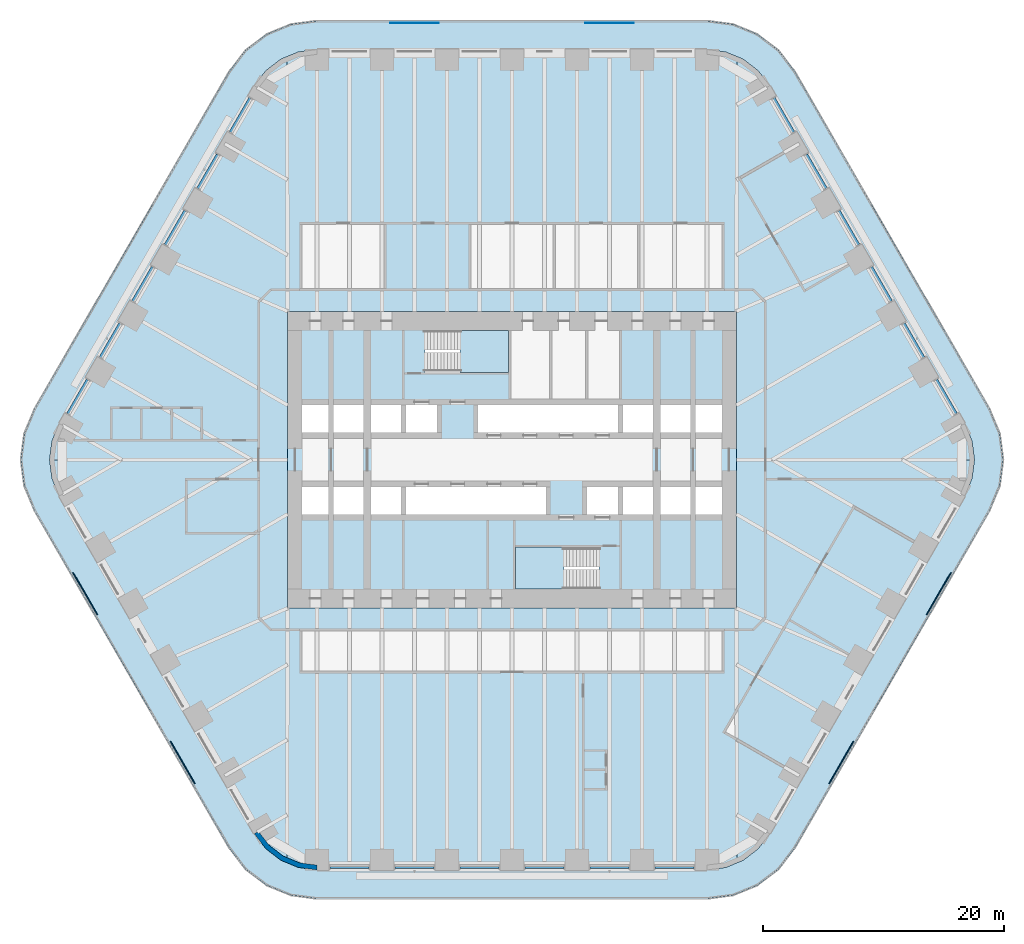
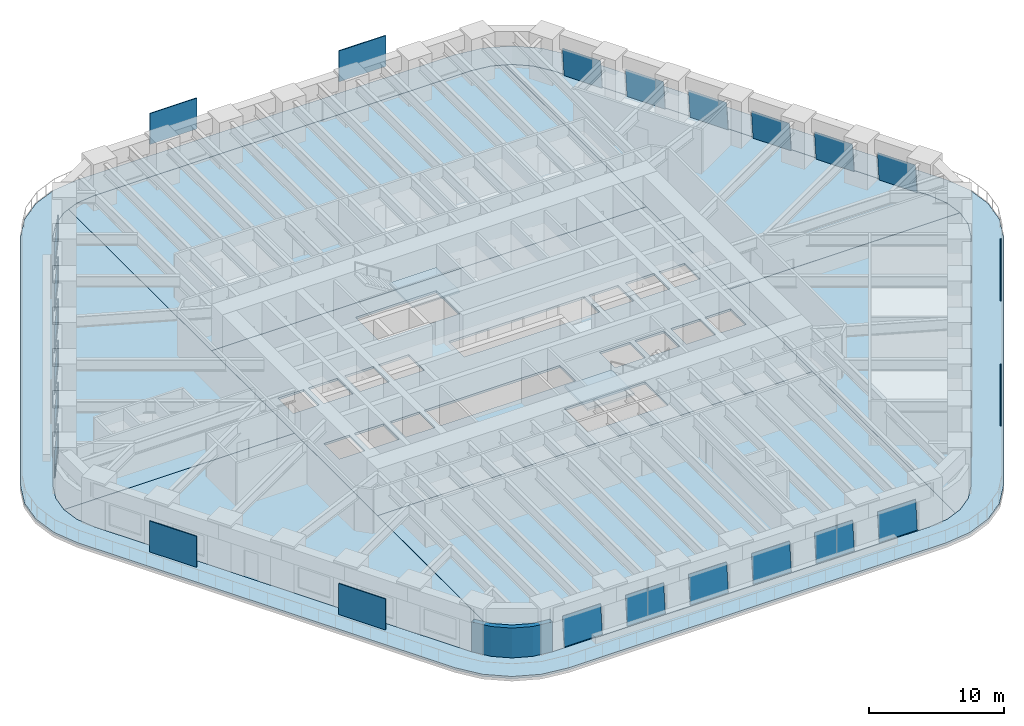
# One storey, part 15 of 23: 24 plates, 10 slabs, 1 wall, 20 elements without a shape of their own.
"""IFC4 building model written with IfcOpenShell, lengths in metres."""

import ifcopenshell
import ifcopenshell.guid

model = None  # the IFC model being written
_history = None  # IfcOwnerHistory: only IFC2X3 demands one
_inside = {}  # id of a spatial element -> (the spatial element, [elements in it])
_under = {}  # id of a project, library or spatial element -> (it, [spatial elements below it])
_declared = {}  # id of a project -> (the project, [libraries it declares])
_typed = {}  # id of a type object -> (the type object, [elements of that type])
_made_of = {}  # id of a material, layer set ... -> (it, [elements and type objects made of it])


def new_model(schema):
    """Start an empty IFC model of exactly this schema.

    Asked for "IFC4X3", IfcOpenShell would pick the latest addendum, in which some entities
    have other attributes; the version numbers below select the first issue.
    IFC2X3 requires an IfcOwnerHistory on every rooted entity: one is made here for all.
    """
    global model, _history
    if schema == "IFC4X3":
        model = ifcopenshell.file(schema_version=(4, 3, 0, 0))
    else:
        model = ifcopenshell.file(schema=schema)
    _inside.clear()
    _under.clear()
    _declared.clear()
    _typed.clear()
    _made_of.clear()
    _history = None
    if model.schema == "IFC2X3":
        org = make("IfcOrganization", Name="unknown")
        user = make(
            "IfcPersonAndOrganization",
            ThePerson=make("IfcPerson", FamilyName="unknown"),
            TheOrganization=org,
        )
        app = make(
            "IfcApplication",
            ApplicationDeveloper=org,
            Version="unknown",
            ApplicationFullName="unknown",
            ApplicationIdentifier="unknown",
        )
        _history = make(
            "IfcOwnerHistory",
            OwningUser=user,
            OwningApplication=app,
            ChangeAction="ADDED",
            CreationDate=0,
        )
    return model


def make(cls, **values):
    """One entity of the class cls with the attributes given. An attribute that is None is left unset."""
    return model.create_entity(
        cls, **{name: value for name, value in values.items() if value is not None}
    )


def rooted(cls, **values):
    """An entity with a GlobalId (a new one), such as an element, a storey or a relation."""
    return make(cls, GlobalId=ifcopenshell.guid.new(), OwnerHistory=_history, **values)


def si_unit(unit_type, name, prefix=None):
    """IfcSIUnit, for example si_unit("LENGTHUNIT", "METRE", prefix="MILLI")."""
    return make("IfcSIUnit", UnitType=unit_type, Prefix=prefix, Name=name)


def assignment(units):
    """IfcUnitAssignment: the units of a project."""
    return None if units is None else make("IfcUnitAssignment", Units=units)


def point(xyz):
    """IfcCartesianPoint."""
    return None if xyz is None else make("IfcCartesianPoint", Coordinates=xyz)


def direction(xyz):
    """IfcDirection."""
    return None if xyz is None else make("IfcDirection", DirectionRatios=xyz)


def frame(location, z_axis=None, x_axis=None):
    """IfcAxis2Placement3D, a coordinate frame: its origin and axes. An axis left out is left unset."""
    return make(
        "IfcAxis2Placement3D",
        Location=point(location),
        Axis=direction(z_axis),
        RefDirection=direction(x_axis),
    )


def frame_2d(location, x_axis=None):
    """IfcAxis2Placement2D, a coordinate frame in the plane: its origin and x axis."""
    return make(
        "IfcAxis2Placement2D", Location=point(location), RefDirection=direction(x_axis)
    )


def origin():
    """The frame at (0, 0, 0) with its axes left unset."""
    return frame((0.0, 0.0, 0.0))


def origin_2d():
    """The frame at (0, 0) in the plane with its x axis left unset."""
    return frame_2d((0.0, 0.0))


def place(relative_to, where):
    """IfcLocalPlacement: puts the frame where relative to a parent placement (None: the world)."""
    return make(
        "IfcLocalPlacement", PlacementRelTo=relative_to, RelativePlacement=where
    )


def context(
    kind, dimensions, precision=None, world=None, true_north=None, identifier=None
):
    """IfcGeometricRepresentationContext, for example the 3D "Model" context."""
    return make(
        "IfcGeometricRepresentationContext",
        ContextIdentifier=identifier,
        ContextType=kind,
        CoordinateSpaceDimension=dimensions,
        Precision=precision,
        WorldCoordinateSystem=world,
        TrueNorth=true_north,
    )


def subcontext(parent, identifier, kind, view, scale=None):
    """IfcGeometricRepresentationSubContext, for example "Body" below "Model"."""
    return make(
        "IfcGeometricRepresentationSubContext",
        ContextIdentifier=identifier,
        ContextType=kind,
        ParentContext=parent,
        TargetScale=scale,
        TargetView=view,
    )


def project(units=None, contexts=None):
    """IfcProject with its units and contexts."""
    return rooted(
        "IfcProject",
        Name="project",
        RepresentationContexts=contexts,
        UnitsInContext=assignment(units),
    )


def spatial(cls, under=None, at=None, **own):
    """A site, building, storey or space (cls), placed at a placement, below another one or the project."""
    s = rooted(cls, ObjectPlacement=at, **own)
    if under is not None:
        _under.setdefault(under.id(), (under, []))[1].append(s)
    return s


def polyline(points):
    """IfcPolyline through the points."""
    return make("IfcPolyline", Points=[point(p) for p in points])


def profile(cls, at=None, kind="AREA", **sizes):
    """A parametric profile (cls). Its sizes go by their IFC names, for example OverallWidth=200.0."""
    return make(cls, ProfileType=kind, Position=at, **sizes)


def rectangle(**sizes):
    """IfcRectangleProfileDef."""
    return profile("IfcRectangleProfileDef", **sizes)


def outline(outer, holes=None, kind="AREA"):
    """IfcArbitraryClosedProfileDef: a profile drawn as a closed curve; with holes, ...WithVoids."""
    if holes is None:
        return make("IfcArbitraryClosedProfileDef", ProfileType=kind, OuterCurve=outer)
    return make(
        "IfcArbitraryProfileDefWithVoids",
        ProfileType=kind,
        OuterCurve=outer,
        InnerCurves=holes,
    )


def extrude(swept, where, along, depth):
    """IfcExtrudedAreaSolid: the profile swept, set in the frame where, extruded along a direction by depth."""
    return make(
        "IfcExtrudedAreaSolid",
        SweptArea=swept,
        Position=where,
        ExtrudedDirection=direction(along),
        Depth=depth,
    )


def shape(context_of_items, identifier, shape_type, items):
    """IfcShapeRepresentation: the items that make up one representation, for example the "Body"."""
    return make(
        "IfcShapeRepresentation",
        ContextOfItems=context_of_items,
        RepresentationIdentifier=identifier,
        RepresentationType=shape_type,
        Items=items,
    )


def material(Name=None, Category=None):
    """IfcMaterial."""
    return make("IfcMaterial", Name=Name, Category=Category)


def layer(
    of_material, thickness, ventilated=None, Name=None, Category=None, Priority=None
):
    """IfcMaterialLayer: one layer of a wall or slab, of a material (None: an air gap)."""
    return make(
        "IfcMaterialLayer",
        Material=of_material,
        LayerThickness=thickness,
        IsVentilated=ventilated,
        Name=Name,
        Category=Category,
        Priority=Priority,
    )


def layer_set(layers, Name=None):
    """IfcMaterialLayerSet."""
    return make("IfcMaterialLayerSet", MaterialLayers=layers, LayerSetName=Name)


def made_of(thing, what):
    """Note that an element or type object is made of a material, layer set ...; save() writes the relation."""
    if what is not None:
        _made_of.setdefault(what.id(), (what, []))[1].append(thing)
    return thing


def type_object(cls, material=None, **own):
    """A type object (cls), such as IfcWallType, which elements share."""
    return made_of(rooted(cls, **own), material)


def element(
    cls,
    number,
    at=None,
    inside=None,
    cuts=None,
    type_object=None,
    material=None,
    context=None,
    identifier="Body",
    shape_type=None,
    held_by="IfcProductDefinitionShape",
    body=None,
    shapes=None,
    **own,
):
    """One element of the class cls, such as IfcWall. Its Tag is "e" and its number.

    at: its placement. inside: the storey or other place that contains it. cuts: it is an
    opening in that element (IfcRelVoidsElement). A single representation is given by context,
    identifier, shape_type and body (its items); several are given by shapes. held_by: the class
    of the entity that holds the representations. save() writes the other relations.
    """
    e = rooted(cls, Tag="e%d" % number, ObjectPlacement=at, **own)
    if body is not None:
        shapes = [shape(context, identifier, shape_type, body)]
    if shapes is not None:
        e.Representation = make(held_by, Representations=shapes)
    if inside is not None:
        _inside.setdefault(inside.id(), (inside, []))[1].append(e)
    if cuts is not None:
        rooted(
            "IfcRelVoidsElement", RelatingBuildingElement=cuts, RelatedOpeningElement=e
        )
    if type_object is not None:
        _typed.setdefault(type_object.id(), (type_object, []))[1].append(e)
    return made_of(e, material)


def aggregate(whole, parts):
    """IfcRelAggregates: a whole, such as a stair, and the parts it consists of."""
    return rooted("IfcRelAggregates", RelatingObject=whole, RelatedObjects=parts)


def save(model, path):
    """Write the relations noted so far, then the file.

    IfcRelAggregates (storeys below a building ...), IfcRelContainedInSpatialStructure (elements
    in a storey), IfcRelDefinesByType, IfcRelAssociatesMaterial and IfcRelDeclares: one each for
    every whole, place, type object, material and project.
    """
    for whole, parts in _under.values():
        aggregate(whole, parts)
    for where, things in _inside.values():
        rooted(
            "IfcRelContainedInSpatialStructure",
            RelatedElements=things,
            RelatingStructure=where,
        )
    for kind, things in _typed.values():
        rooted("IfcRelDefinesByType", RelatedObjects=things, RelatingType=kind)
    for what, things in _made_of.values():
        rooted("IfcRelAssociatesMaterial", RelatedObjects=things, RelatingMaterial=what)
    for by, libraries in _declared.values():
        rooted("IfcRelDeclares", RelatingContext=by, RelatedDefinitions=libraries)
    model.write(path)


model = new_model("IFC4")

# Units and contexts
model_context = context("Model", 3, precision=1e-05, world=origin(), true_north=direction((0.0, 1.0)))
body_context = subcontext(model_context, "Body", "Model", "MODEL_VIEW")
ifc_project = project(units=[si_unit("LENGTHUNIT", "METRE"), si_unit("AREAUNIT", "SQUARE_METRE"), si_unit("VOLUMEUNIT", "CUBIC_METRE"), si_unit("PLANEANGLEUNIT", "RADIAN"), si_unit("MASSUNIT", "GRAM", prefix="KILO")], contexts=[model_context])

# Site, building, storey
site_placement = place(None, origin())
site = spatial("IfcSite", under=ifc_project, at=site_placement, CompositionType="ELEMENT")
building_placement = place(site_placement, origin())
building = spatial("IfcBuilding", under=site, at=building_placement, Name="Tarfa Lantern Tower", CompositionType="ELEMENT")
storey_placement = place(building_placement, frame((0.0, 0.0, 61.300048828125)))
storey = spatial("IfcBuildingStorey", under=building, at=storey_placement, Name="L13", CompositionType="ELEMENT", Elevation=61.300048828125)

# Slab
ifc_material_1 = material(Name="Concrete C40/50", Category="concrete")
ifc_layer_1 = layer(ifc_material_1, 0.199951171875)
ifc_layer_set_1 = layer_set([ifc_layer_1], Name="BS2 BALCONY SLAB 200")
slab_type_1 = type_object("IfcSlabType", Name="BS2 BALCONY SLAB 200", PredefinedType="FLOOR", material=ifc_layer_set_1)
slab_1_placement = place(storey_placement, frame((0.0, 0.0, -0.199951171875)))
element("IfcSlab", 1, at=slab_1_placement, inside=storey, type_object=slab_type_1, Name="Balcony L13", PredefinedType="FLOOR", context=body_context, shape_type="SweptSolid", body=[
    extrude(outline(polyline([(39.606201171875, 4.199951171875), (23.4404296875, 32.199951171875), (22.10546875, 33.939697265625), (20.36572265625, 35.274658203125), (18.33984375, 36.11376953125), (16.165771484375, 36.39990234375), (-16.165771484375, 36.39990234375), (-18.33984375, 36.11376953125), (-20.36572265625, 35.274658203125), (-22.10546875, 33.939697265625), (-23.4404296875, 32.199951171875), (-39.606201171875, 4.199951171875), (-40.4453125, 2.174072265625), (-40.731689453125, 0.0), (-40.4453125, -2.174072265625), (-39.606201171875, -4.199951171875), (-23.4404296875, -32.199951171875), (-22.10546875, -33.939697265625), (-20.36572265625, -35.274658203125), (-18.33984375, -36.11376953125), (-16.165771484375, -36.39990234375), (16.165771484375, -36.39990234375), (18.33984375, -36.11376953125), (20.36572265625, -35.274658203125), (22.10546875, -33.939697265625), (23.4404296875, -32.199951171875), (39.606201171875, -4.199951171875), (40.4453125, -2.174072265625), (40.731689453125, 0.0), (40.4453125, 2.174072265625), (39.606201171875, 4.199951171875)]), holes=[polyline([(37.52783203125, 3.0), (21.362060546875, 31.0), (20.408447265625, 32.24267578125), (19.165771484375, 33.196044921875), (17.71875, 33.795654296875), (16.165771484375, 34.0), (-16.165771484375, 34.0), (-17.71875, 33.795654296875), (-19.165771484375, 33.196044921875), (-20.408447265625, 32.24267578125), (-21.362060546875, 31.0), (-37.52783203125, 3.0), (-38.127197265625, 1.552978515625), (-38.33154296875, 0.0), (-38.127197265625, -1.552978515625), (-37.52783203125, -3.0), (-21.362060546875, -31.0), (-20.408447265625, -32.24267578125), (-19.165771484375, -33.196044921875), (-17.71875, -33.795654296875), (-16.165771484375, -34.0), (16.165771484375, -34.0), (17.71875, -33.795654296875), (19.165771484375, -33.196044921875), (20.408447265625, -32.24267578125), (21.362060546875, -31.0), (37.52783203125, -3.0), (38.127197265625, -1.552978515625), (38.33154296875, 0.0), (38.127197265625, 1.552978515625), (37.52783203125, 3.0)])]), origin(), (0.0, 0.0, 1.0), 0.199951171875),
])

# Curtain wall, plate
ifc_material_2 = material(Name="Aluminium framed curtain wall", Category="aluminium")
curtain_wall_type = type_object("IfcCurtainWallType", Name="CW1 CANTED GLAZING LOW ZONE 2700", PredefinedType="USERDEFINED", material=ifc_material_2)
curtain_wall_1_placement = place(storey_placement, origin())
curtain_wall_1 = element("IfcCurtainWall", 2, at=curtain_wall_1_placement, inside=storey, type_object=curtain_wall_type, Name="CW1 NE L13", ObjectType="CURTAIN WALL", PredefinedType="USERDEFINED")
ifc_material_3 = material(Name="Laminated double glazing", Category="glass")
ifc_layer_2 = layer(ifc_material_3, 0.028076171875)
ifc_layer_set_2 = layer_set([ifc_layer_2], Name="CWP1 DOUBLE GLAZED PANEL")
plate_type_1 = type_object("IfcPlateType", Name="CWP1 DOUBLE GLAZED PANEL", PredefinedType="CURTAIN_PANEL", material=ifc_layer_set_2)
plate_1_placement = place(storey_placement, frame((36.90869140625, 3.872314453125, 0.0), z_axis=(0.862338266797, 0.497864384763, 0.09221587717), x_axis=(-0.499995082658, 0.86602824279, 2.978908e-06)))
plate_1 = element("IfcPlate", 3, at=plate_1_placement, type_object=plate_type_1, Name="CW1 panel 1.1", PredefinedType="CURTAIN_PANEL", context=body_context, shape_type="SweptSolid", body=[
    extrude(outline(polyline([(0.0, 0.0), (3.258639560562134, 0.0), (3.2585208536427297, 2.646275738901332), (3.3621925729925773e-06, 2.646295235988971), (0.0, 0.0)])), origin(), (0.0, 0.0, -1.0), 0.028076171875),
])
aggregate(curtain_wall_1, [plate_1])

curtain_wall_2_placement = place(storey_placement, origin())
curtain_wall_2 = element("IfcCurtainWall", 4, at=curtain_wall_2_placement, inside=storey, type_object=curtain_wall_type, Name="CW1 NE L13", ObjectType="CURTAIN WALL", PredefinedType="USERDEFINED")
plate_2_placement = place(storey_placement, frame((34.21435546875, 8.5390625, 0.0), z_axis=(0.862325290636, 0.497894194109, 0.092176269198), x_axis=(-0.500022939057, 0.866012159509, 0.0)))
plate_2 = element("IfcPlate", 5, at=plate_2_placement, type_object=plate_type_1, Name="CW1 panel 1.1", PredefinedType="CURTAIN_PANEL", context=body_context, shape_type="SweptSolid", body=[
    extrude(outline(polyline([(0.0, 0.0), (3.2586395622623687, 0.0), (3.2585208519425555, 2.6462757409948594), (-0.0001187103198132533, 2.6462757409948594), (0.0, 0.0)])), origin(), (0.0, 0.0, -1.0), 0.028076171875),
])
aggregate(curtain_wall_2, [plate_2])

curtain_wall_3_placement = place(storey_placement, origin())
curtain_wall_3 = element("IfcCurtainWall", 6, at=curtain_wall_3_placement, inside=storey, type_object=curtain_wall_type, Name="CW1 NE L13", ObjectType="CURTAIN WALL", PredefinedType="USERDEFINED")
plate_3_placement = place(storey_placement, frame((31.52001953125, 13.20556640625, 0.0), z_axis=(0.862341934097, 0.49786650205, 0.092170140692), x_axis=(-0.499994605049, 0.866028518533, -2.977555e-06)))
plate_3 = element("IfcPlate", 7, at=plate_3_placement, type_object=plate_type_1, Name="CW1 panel 1.1", PredefinedType="CURTAIN_PANEL", context=body_context, shape_type="SweptSolid", body=[
    extrude(outline(polyline([(0.0, 0.0), (3.258517491508472, 2.7755575615628914e-17), (3.2587164564684317, 2.646283977845527), (7.689596458644864e-05, 2.6462644896978658), (0.0, 0.0)])), origin(), (0.0, 0.0, -1.0), 0.028076171875),
])
aggregate(curtain_wall_3, [plate_3])

curtain_wall_4_placement = place(storey_placement, origin())
curtain_wall_4 = element("IfcCurtainWall", 8, at=curtain_wall_4_placement, inside=storey, type_object=curtain_wall_type, Name="CW1 NE L13", ObjectType="CURTAIN WALL", PredefinedType="USERDEFINED")
plate_4_placement = place(storey_placement, frame((28.82568359375, 17.872314453125, 0.0), z_axis=(0.862338266797, 0.497864384763, 0.09221587717), x_axis=(-0.499994604812, 0.86602851867, -2.97902e-06)))
plate_4 = element("IfcPlate", 9, at=plate_4_placement, type_object=plate_type_1, Name="CW1 panel 1.1", PredefinedType="CURTAIN_PANEL", context=body_context, shape_type="SweptSolid", body=[
    extrude(outline(polyline([(0.0, 0.0), (3.2585174915084862, -2.7755575615628914e-17), (3.2585050197979823, 2.646295235961718), (-0.000134540705819584, 2.646275738143688), (0.0, 0.0)])), origin(), (0.0, 0.0, -1.0), 0.028076171875),
])
aggregate(curtain_wall_4, [plate_4])

curtain_wall_5_placement = place(storey_placement, origin())
curtain_wall_5 = element("IfcCurtainWall", 10, at=curtain_wall_5_placement, inside=storey, type_object=curtain_wall_type, Name="CW1 NE L13", ObjectType="CURTAIN WALL", PredefinedType="USERDEFINED")
plate_5_placement = place(storey_placement, frame((26.13134765625, 22.5390625, 0.0), z_axis=(0.862338266797, 0.497864384763, 0.09221587717), x_axis=(-0.499994604812, 0.86602851867, -2.97902e-06)))
plate_5 = element("IfcPlate", 11, at=plate_5_placement, type_object=plate_type_1, Name="CW1 panel 1.1", PredefinedType="CURTAIN_PANEL", context=body_context, shape_type="SweptSolid", body=[
    extrude(outline(polyline([(0.0, 0.0), (3.2585174915084862, -2.7755575615628914e-17), (3.2585050197979823, 2.646295235961718), (-0.000134540705819584, 2.646275738143688), (0.0, 0.0)])), origin(), (0.0, 0.0, -1.0), 0.028076171875),
])
aggregate(curtain_wall_5, [plate_5])

curtain_wall_6_placement = place(storey_placement, origin())
curtain_wall_6 = element("IfcCurtainWall", 12, at=curtain_wall_6_placement, inside=storey, type_object=curtain_wall_type, Name="CW1 NE L13", ObjectType="CURTAIN WALL", PredefinedType="USERDEFINED")
plate_6_placement = place(storey_placement, frame((23.437255859375, 27.20556640625, 0.0), z_axis=(0.862341934097, 0.49786650205, 0.092170140692), x_axis=(-0.499995082421, 0.866028242926, 2.977443e-06)))
plate_6 = element("IfcPlate", 13, at=plate_6_placement, type_object=plate_type_1, Name="CW1 panel 1.1", PredefinedType="CURTAIN_PANEL", context=body_context, shape_type="SweptSolid", body=[
    extrude(outline(polyline([(0.0, 0.0), (3.2586395605621195, -2.7755575615628914e-17), (3.2587322823927347, 2.64626448919067), (0.0002147909425344405, 2.6462839766083026), (0.0, 0.0)])), origin(), (0.0, 0.0, -1.0), 0.028076171875),
])
aggregate(curtain_wall_6, [plate_6])

curtain_wall_7_placement = place(storey_placement, origin())
curtain_wall_7 = element("IfcCurtainWall", 14, at=curtain_wall_7_placement, inside=storey, type_object=curtain_wall_type, Name="CW1 NW L13", ObjectType="CURTAIN WALL", PredefinedType="USERDEFINED")
plate_7_placement = place(storey_placement, frame((-21.807861328125, 30.027587890625, 0.0), z_axis=(-0.862341934097, 0.49786650205, 0.092170140692), x_axis=(-0.499995082421, -0.866028242926, -2.977443e-06)))
plate_7 = element("IfcPlate", 15, at=plate_7_placement, type_object=plate_type_1, Name="CW1 panel 1.1", PredefinedType="CURTAIN_PANEL", context=body_context, shape_type="SweptSolid", body=[
    extrude(outline(polyline([(0.0, 0.0), (3.2586395605621195, 2.7755575615628914e-17), (3.2584247696195847, 2.6462839766083026), (-9.272183061532521e-05, 2.64626448919067), (0.0, 0.0)])), origin(), (0.0, 0.0, -1.0), 0.028076171875),
])
aggregate(curtain_wall_7, [plate_7])

curtain_wall_8_placement = place(storey_placement, origin())
curtain_wall_8 = element("IfcCurtainWall", 16, at=curtain_wall_8_placement, inside=storey, type_object=curtain_wall_type, Name="CW1 NW L13", ObjectType="CURTAIN WALL", PredefinedType="USERDEFINED")
plate_8_placement = place(storey_placement, frame((-24.502197265625, 25.361083984375, 0.0), z_axis=(-0.862338266797, 0.497864384763, 0.09221587717), x_axis=(-0.499994604812, -0.86602851867, 2.97902e-06)))
plate_8 = element("IfcPlate", 17, at=plate_8_placement, type_object=plate_type_1, Name="CW1 panel 1.1", PredefinedType="CURTAIN_PANEL", context=body_context, shape_type="SweptSolid", body=[
    extrude(outline(polyline([(0.0, 0.0), (3.2585174915084862, 2.7755575615628914e-17), (3.2586520322143055, 2.646275738143688), (1.2471710504126e-05, 2.646295235961718), (0.0, 0.0)])), origin(), (0.0, 0.0, -1.0), 0.028076171875),
])
aggregate(curtain_wall_8, [plate_8])

curtain_wall_9_placement = place(storey_placement, origin())
curtain_wall_9 = element("IfcCurtainWall", 18, at=curtain_wall_9_placement, inside=storey, type_object=curtain_wall_type, Name="CW1 NW L13", ObjectType="CURTAIN WALL", PredefinedType="USERDEFINED")
plate_9_placement = place(storey_placement, frame((-27.196533203125, 20.6943359375, 0.0), z_axis=(-0.862338266797, 0.497864384763, 0.09221587717), x_axis=(-0.499994604812, -0.86602851867, 2.97902e-06)))
plate_9 = element("IfcPlate", 19, at=plate_9_placement, type_object=plate_type_1, Name="CW1 panel 1.1", PredefinedType="CURTAIN_PANEL", context=body_context, shape_type="SweptSolid", body=[
    extrude(outline(polyline([(0.0, 0.0), (3.2585174915084862, 2.7755575615628914e-17), (3.2586520322143055, 2.646275738143688), (1.2471710504126e-05, 2.646295235961718), (0.0, 0.0)])), origin(), (0.0, 0.0, -1.0), 0.028076171875),
])
aggregate(curtain_wall_9, [plate_9])

curtain_wall_10_placement = place(storey_placement, origin())
curtain_wall_10 = element("IfcCurtainWall", 20, at=curtain_wall_10_placement, inside=storey, type_object=curtain_wall_type, Name="CW1 NW L13", ObjectType="CURTAIN WALL", PredefinedType="USERDEFINED")
plate_10_placement = place(storey_placement, frame((-29.890869140625, 16.027587890625, 0.0), z_axis=(-0.862341934097, 0.49786650205, 0.092170140692), x_axis=(-0.499994605049, -0.866028518533, 2.977555e-06)))
plate_10 = element("IfcPlate", 21, at=plate_10_placement, type_object=plate_type_1, Name="CW1 panel 1.1", PredefinedType="CURTAIN_PANEL", context=body_context, shape_type="SweptSolid", body=[
    extrude(outline(polyline([(0.0, 0.0), (3.258517491508472, -2.7755575615628914e-17), (3.258440595543886, 2.6462644896978658), (-0.00019896495995976314, 2.646283977845527), (0.0, 0.0)])), origin(), (0.0, 0.0, -1.0), 0.028076171875),
])
aggregate(curtain_wall_10, [plate_10])

curtain_wall_11_placement = place(storey_placement, origin())
curtain_wall_11 = element("IfcCurtainWall", 22, at=curtain_wall_11_placement, inside=storey, type_object=curtain_wall_type, Name="CW1 NW L13", ObjectType="CURTAIN WALL", PredefinedType="USERDEFINED")
plate_11_placement = place(storey_placement, frame((-32.5849609375, 11.361083984375, 0.0), z_axis=(-0.862325290636, 0.497894194109, 0.092176269198), x_axis=(-0.500022939057, -0.866012159509, 0.0)))
plate_11 = element("IfcPlate", 23, at=plate_11_placement, type_object=plate_type_1, Name="CW1 panel 1.1", PredefinedType="CURTAIN_PANEL", context=body_context, shape_type="SweptSolid", body=[
    extrude(outline(polyline([(0.0, 0.0), (3.2586395622623687, 0.0), (3.258758272582182, 2.6462757409948594), (0.0001187103198132533, 2.6462757409948594), (0.0, 0.0)])), origin(), (0.0, 0.0, -1.0), 0.028076171875),
])
aggregate(curtain_wall_11, [plate_11])

curtain_wall_12_placement = place(storey_placement, origin())
curtain_wall_12 = element("IfcCurtainWall", 24, at=curtain_wall_12_placement, inside=storey, type_object=curtain_wall_type, Name="CW1 NW L13", ObjectType="CURTAIN WALL", PredefinedType="USERDEFINED")
plate_12_placement = place(storey_placement, frame((-35.279296875, 6.6943359375, 0.0), z_axis=(-0.862338266797, 0.497864384763, 0.09221587717), x_axis=(-0.499995082658, -0.86602824279, -2.978908e-06)))
plate_12 = element("IfcPlate", 25, at=plate_12_placement, type_object=plate_type_1, Name="CW1 panel 1.1", PredefinedType="CURTAIN_PANEL", context=body_context, shape_type="SweptSolid", body=[
    extrude(outline(polyline([(0.0, 0.0), (3.258639560562134, 0.0), (3.258636198369561, 2.646295235988971), (0.00011870691940396534, 2.646275738901332), (0.0, 0.0)])), origin(), (0.0, 0.0, -1.0), 0.028076171875),
])
aggregate(curtain_wall_12, [plate_12])

curtain_wall_13_placement = place(storey_placement, origin())
curtain_wall_13 = element("IfcCurtainWall", 26, at=curtain_wall_13_placement, inside=storey, type_object=curtain_wall_type, Name="CW1 S L13", ObjectType="CURTAIN WALL", PredefinedType="USERDEFINED")
plate_13_placement = place(storey_placement, frame((-15.100830078125, -33.89990234375, 0.0), z_axis=(0.0, -0.995743653657, 0.092166025202), x_axis=(1.0, 0.0, 0.0)))
plate_13 = element("IfcPlate", 27, at=plate_13_placement, type_object=plate_type_1, Name="CW1 panel 1.1", PredefinedType="CURTAIN_PANEL", context=body_context, shape_type="SweptSolid", body=[
    extrude(outline(polyline([(0.0, 0.0), (3.258544921875, 0.0), (3.258544921875, 2.6462732209712594), (0.0, 2.6462732209712594), (0.0, 0.0)])), origin(), (0.0, 0.0, -1.0), 0.028076171875),
])
aggregate(curtain_wall_13, [plate_13])

curtain_wall_14_placement = place(storey_placement, origin())
curtain_wall_14 = element("IfcCurtainWall", 28, at=curtain_wall_14_placement, inside=storey, type_object=curtain_wall_type, Name="CW1 S L13", ObjectType="CURTAIN WALL", PredefinedType="USERDEFINED")
plate_14_placement = place(storey_placement, frame((-9.712158203125, -33.89990234375, 0.0), z_axis=(0.0, -0.995743653657, 0.092166025202), x_axis=(1.0, 0.0, 0.0)))
plate_14 = element("IfcPlate", 29, at=plate_14_placement, type_object=plate_type_1, Name="CW1 panel 1.1", PredefinedType="CURTAIN_PANEL", context=body_context, shape_type="SweptSolid", body=[
    extrude(outline(polyline([(0.0, 0.0), (3.258544921875, 0.0), (3.258544921875, 2.6462732209712594), (0.0, 2.6462732209712594), (0.0, 0.0)])), origin(), (0.0, 0.0, -1.0), 0.028076171875),
])
aggregate(curtain_wall_14, [plate_14])

curtain_wall_15_placement = place(storey_placement, origin())
curtain_wall_15 = element("IfcCurtainWall", 30, at=curtain_wall_15_placement, inside=storey, type_object=curtain_wall_type, Name="CW1 S L13", ObjectType="CURTAIN WALL", PredefinedType="USERDEFINED")
plate_15_placement = place(storey_placement, frame((-4.323486328125, -33.89990234375, 0.0), z_axis=(0.0, -0.995743653657, 0.092166025202), x_axis=(1.0, 0.0, 0.0)))
plate_15 = element("IfcPlate", 31, at=plate_15_placement, type_object=plate_type_1, Name="CW1 panel 1.1", PredefinedType="CURTAIN_PANEL", context=body_context, shape_type="SweptSolid", body=[
    extrude(outline(polyline([(0.0, 0.0), (3.258544921875, 0.0), (3.258544921875, 2.6462732209712594), (0.0, 2.6462732209712594), (0.0, 0.0)])), origin(), (0.0, 0.0, -1.0), 0.028076171875),
])
aggregate(curtain_wall_15, [plate_15])

curtain_wall_16_placement = place(storey_placement, origin())
curtain_wall_16 = element("IfcCurtainWall", 32, at=curtain_wall_16_placement, inside=storey, type_object=curtain_wall_type, Name="CW1 S L13", ObjectType="CURTAIN WALL", PredefinedType="USERDEFINED")
plate_16_placement = place(storey_placement, frame((1.06494140625, -33.89990234375, 0.0), z_axis=(0.0, -0.995743653657, 0.092166025202), x_axis=(1.0, 0.0, 0.0)))
plate_16 = element("IfcPlate", 33, at=plate_16_placement, type_object=plate_type_1, Name="CW1 panel 1.1", PredefinedType="CURTAIN_PANEL", context=body_context, shape_type="SweptSolid", body=[
    extrude(outline(polyline([(0.0, 0.0), (3.258544921875, 0.0), (3.258544921875, 2.6462732209712594), (0.0, 2.6462732209712594), (0.0, 0.0)])), origin(), (0.0, 0.0, -1.0), 0.028076171875),
])
aggregate(curtain_wall_16, [plate_16])

curtain_wall_17_placement = place(storey_placement, origin())
curtain_wall_17 = element("IfcCurtainWall", 34, at=curtain_wall_17_placement, inside=storey, type_object=curtain_wall_type, Name="CW1 S L13", ObjectType="CURTAIN WALL", PredefinedType="USERDEFINED")
plate_17_placement = place(storey_placement, frame((6.45361328125, -33.89990234375, 0.0), z_axis=(0.0, -0.995743653657, 0.092166025202), x_axis=(1.0, 0.0, 0.0)))
plate_17 = element("IfcPlate", 35, at=plate_17_placement, type_object=plate_type_1, Name="CW1 panel 1.1", PredefinedType="CURTAIN_PANEL", context=body_context, shape_type="SweptSolid", body=[
    extrude(outline(polyline([(0.0, 0.0), (3.258544921875, 0.0), (3.258544921875, 2.6462732209712594), (0.0, 2.6462732209712594), (0.0, 0.0)])), origin(), (0.0, 0.0, -1.0), 0.028076171875),
])
aggregate(curtain_wall_17, [plate_17])

curtain_wall_18_placement = place(storey_placement, origin())
curtain_wall_18 = element("IfcCurtainWall", 36, at=curtain_wall_18_placement, inside=storey, type_object=curtain_wall_type, Name="CW1 S L13", ObjectType="CURTAIN WALL", PredefinedType="USERDEFINED")
plate_18_placement = place(storey_placement, frame((11.84228515625, -33.89990234375, 0.0), z_axis=(0.0, -0.995743653657, 0.092166025202), x_axis=(1.0, 0.0, 0.0)))
plate_18 = element("IfcPlate", 37, at=plate_18_placement, type_object=plate_type_1, Name="CW1 panel 1.1", PredefinedType="CURTAIN_PANEL", context=body_context, shape_type="SweptSolid", body=[
    extrude(outline(polyline([(0.0, 0.0), (3.258544921875, 0.0), (3.258544921875, 2.6462732209712594), (0.0, 2.6462732209712594), (0.0, 0.0)])), origin(), (0.0, 0.0, -1.0), 0.028076171875),
])
aggregate(curtain_wall_18, [plate_18])

# Slabs
ifc_layer_3 = layer(ifc_material_1, 0.199951171875)
ifc_layer_set_3 = layer_set([ifc_layer_3], Name="FS1 FLOOR SLAB 200")
slab_type_2 = type_object("IfcSlabType", Name="FS1 FLOOR SLAB 200", PredefinedType="FLOOR", material=ifc_layer_set_3)
slab_2_placement = place(storey_placement, frame((0.0, 0.0, -0.199951171875)))
element("IfcSlab", 38, at=slab_2_placement, inside=storey, type_object=slab_type_2, Name="Floor slab L13", PredefinedType="FLOOR", context=body_context, shape_type="SweptSolid", body=[
    extrude(outline(polyline([(-18.60009765625, -12.300048828125), (18.60009765625, -12.300048828125), (18.60009765625, 12.300048828125), (-18.60009765625, 12.300048828125), (-18.60009765625, -12.300048828125)]), holes=[polyline([(-17.39990234375, 2.25), (-15.199951171875, 2.25), (-15.199951171875, 4.550048828125), (-17.39990234375, 4.550048828125), (-17.39990234375, 2.25)]), polyline([(-14.800048828125, 2.25), (-12.300048828125, 2.25), (-12.300048828125, 4.550048828125), (-14.800048828125, 4.550048828125), (-14.800048828125, 2.25)]), polyline([(-11.699951171875, 2.25), (-9.199951171875, 2.25), (-9.199951171875, 4.550048828125), (-11.699951171875, 4.550048828125), (-11.699951171875, 2.25)]), polyline([(-8.800048828125, 2.25), (-6.199951171875, 2.25), (-6.199951171875, 4.550048828125), (-8.800048828125, 4.550048828125), (-8.800048828125, 2.25)]), polyline([(-2.800048828125, 2.25), (8.800048828125, 2.25), (8.800048828125, 4.550048828125), (-2.800048828125, 4.550048828125), (-2.800048828125, 2.25)]), polyline([(9.199951171875, 2.25), (11.699951171875, 2.25), (11.699951171875, 4.550048828125), (9.199951171875, 4.550048828125), (9.199951171875, 2.25)]), polyline([(12.300048828125, 2.25), (14.800048828125, 2.25), (14.800048828125, 4.550048828125), (12.300048828125, 4.550048828125), (12.300048828125, 2.25)]), polyline([(15.199951171875, 2.25), (17.39990234375, 2.25), (17.39990234375, 4.550048828125), (15.199951171875, 4.550048828125), (15.199951171875, 2.25)]), polyline([(17.39990234375, -2.25), (15.199951171875, -2.25), (15.199951171875, -4.550048828125), (17.39990234375, -4.550048828125), (17.39990234375, -2.25)]), polyline([(14.800048828125, -2.25), (12.300048828125, -2.25), (12.300048828125, -4.550048828125), (14.800048828125, -4.550048828125), (14.800048828125, -2.25)]), polyline([(11.699951171875, -2.25), (9.199951171875, -2.25), (9.199951171875, -4.550048828125), (11.699951171875, -4.550048828125), (11.699951171875, -2.25)]), polyline([(8.800048828125, -2.25), (6.199951171875, -2.25), (6.199951171875, -4.550048828125), (8.800048828125, -4.550048828125), (8.800048828125, -2.25)]), polyline([(2.800048828125, -2.25), (-8.800048828125, -2.25), (-8.800048828125, -4.550048828125), (2.800048828125, -4.550048828125), (2.800048828125, -2.25)]), polyline([(-9.199951171875, -2.25), (-11.699951171875, -2.25), (-11.699951171875, -4.550048828125), (-9.199951171875, -4.550048828125), (-9.199951171875, -2.25)]), polyline([(-12.300048828125, -2.25), (-14.800048828125, -2.25), (-14.800048828125, -4.550048828125), (-12.300048828125, -4.550048828125), (-12.300048828125, -2.25)]), polyline([(-15.199951171875, -2.25), (-17.39990234375, -2.25), (-17.39990234375, -4.550048828125), (-15.199951171875, -4.550048828125), (-15.199951171875, -2.25)]), polyline([(-7.199951171875, 7.25), (-0.300048828125, 7.25), (-0.300048828125, 10.699951171875), (-7.199951171875, 10.699951171875), (-7.199951171875, 7.25)]), polyline([(7.199951171875, -7.25), (0.300048828125, -7.25), (0.300048828125, -10.699951171875), (7.199951171875, -10.699951171875), (7.199951171875, -7.25)])]), origin(), (0.0, 0.0, 1.0), 0.199951171875),
])
slab_3_placement = place(storey_placement, frame((0.0, 0.0, -0.199951171875)))
element("IfcSlab", 39, at=slab_3_placement, inside=storey, type_object=slab_type_2, Name="Floor slab L13 NE bay", PredefinedType="FLOOR", context=body_context, shape_type="SweptSolid", body=[
    extrude(outline(polyline([(37.52587890625, 2.9990234375), (21.3603515625, 30.998779296875), (20.406982421875, 32.2412109375), (19.164794921875, 33.1943359375), (18.64697265625, 33.408935546875), (18.60205078125, 12.300048828125), (18.60205078125, 0.001953125), (38.329345703125, 0.001953125), (38.125244140625, 1.552490234375), (37.52587890625, 2.9990234375)])), origin(), (0.0, 0.0, 1.0), 0.199951171875),
])
slab_4_placement = place(storey_placement, frame((0.0, 0.0, -0.199951171875)))
element("IfcSlab", 40, at=slab_4_placement, inside=storey, type_object=slab_type_2, Name="Floor slab L13 N bay", PredefinedType="FLOOR", context=body_context, shape_type="SweptSolid", body=[
    extrude(outline(polyline([(-18.597900390625, 12.302001953125), (18.597900390625, 12.302001953125), (18.64306640625, 33.41064453125), (17.71826171875, 33.793701171875), (16.165771484375, 33.998046875), (-16.165771484375, 33.998046875), (-17.71826171875, 33.793701171875), (-18.64306640625, 33.41064453125), (-18.597900390625, 12.302001953125)])), origin(), (0.0, 0.0, 1.0), 0.199951171875),
])
slab_5_placement = place(storey_placement, frame((0.0, 0.0, -0.199951171875)))
element("IfcSlab", 41, at=slab_5_placement, inside=storey, type_object=slab_type_2, Name="Floor slab L13 NW bay", PredefinedType="FLOOR", context=body_context, shape_type="SweptSolid", body=[
    extrude(outline(polyline([(-18.60205078125, 0.001953125), (-18.60205078125, 12.300048828125), (-18.64697265625, 33.408935546875), (-19.164794921875, 33.1943359375), (-20.406982421875, 32.2412109375), (-21.3603515625, 30.998779296875), (-37.52587890625, 2.9990234375), (-38.125244140625, 1.552490234375), (-38.329345703125, 0.001953125), (-18.60205078125, 0.001953125)])), origin(), (0.0, 0.0, 1.0), 0.199951171875),
])
slab_6_placement = place(storey_placement, frame((0.0, 0.0, -0.199951171875)))
element("IfcSlab", 42, at=slab_6_placement, inside=storey, type_object=slab_type_2, Name="Floor slab L13 SW bay", PredefinedType="FLOOR", context=body_context, shape_type="SweptSolid", body=[
    extrude(outline(polyline([(-18.60205078125, -12.300048828125), (-18.60205078125, -0.001953125), (-38.329345703125, -0.001953125), (-38.125244140625, -1.552490234375), (-37.52587890625, -2.9990234375), (-21.3603515625, -30.998779296875), (-20.406982421875, -32.2412109375), (-19.164794921875, -33.1943359375), (-18.64697265625, -33.408935546875), (-18.60205078125, -12.300048828125)])), origin(), (0.0, 0.0, 1.0), 0.199951171875),
])
slab_7_placement = place(storey_placement, frame((0.0, 0.0, -0.199951171875)))
element("IfcSlab", 43, at=slab_7_placement, inside=storey, type_object=slab_type_2, Name="Floor slab L13 S bay", PredefinedType="FLOOR", context=body_context, shape_type="SweptSolid", body=[
    extrude(outline(polyline([(18.597900390625, -12.302001953125), (-18.597900390625, -12.302001953125), (-18.64306640625, -33.41064453125), (-17.71826171875, -33.793701171875), (-16.165771484375, -33.998046875), (16.165771484375, -33.998046875), (17.71826171875, -33.793701171875), (18.64306640625, -33.41064453125), (18.597900390625, -12.302001953125)])), origin(), (0.0, 0.0, 1.0), 0.199951171875),
])
slab_8_placement = place(storey_placement, frame((0.0, 0.0, -0.199951171875)))
element("IfcSlab", 44, at=slab_8_placement, inside=storey, type_object=slab_type_2, Name="Floor slab L13 SE bay", PredefinedType="FLOOR", context=body_context, shape_type="SweptSolid", body=[
    extrude(outline(polyline([(18.60205078125, -0.001953125), (18.60205078125, -12.300048828125), (18.64697265625, -33.408935546875), (19.164794921875, -33.1943359375), (20.406982421875, -32.2412109375), (21.3603515625, -30.998779296875), (37.52587890625, -2.9990234375), (38.125244140625, -1.552490234375), (38.329345703125, -0.001953125), (18.60205078125, -0.001953125)])), origin(), (0.0, 0.0, 1.0), 0.199951171875),
])

# Plates
ifc_material_4 = material(Name="Perforated limestone screen", Category="masonry")
ifc_layer_4 = layer(ifc_material_4, 0.080078125)
ifc_layer_set_4 = layer_set([ifc_layer_4], Name="SC1 STONE SCREEN 80")
plate_type_2 = type_object("IfcPlateType", Name="SC1 STONE SCREEN 80", PredefinedType="USERDEFINED", material=ifc_layer_set_4)
for number, where, z_axis, x_axis, name in (
    (45, (8.0830078125, 36.199951171875, 1.19970703125), (0.0, 0.0, 1.0), (-1.0, 0.0, 0.0), "Stone screen N 1"),
    (46, (-8.0830078125, 36.199951171875, 1.19970703125), (0.0, 0.0, 1.0), (-1.0, 0.0, 0.0), "Stone screen N 2"),
    (47, (-35.3916015625, -11.10009765625, 1.19970703125), (0.0, 0.0, 1.0), (0.5, -0.866025403784, 0.0), "Stone screen SW 1"),
    (48, (-27.30859375, -25.10009765625, 1.19970703125), (0.0, 0.0, 1.0), (0.5, -0.866025403784, 0.0), "Stone screen SW 2"),
    (49, (27.30859375, -25.10009765625, 1.19970703125), (0.0, 0.0, 1.0), (0.5, 0.866025403784, 0.0), "Stone screen SE 1"),
    (50, (35.3916015625, -11.10009765625, 1.19970703125), (0.0, 0.0, 1.0), (0.5, 0.866025403784, 0.0), "Stone screen SE 2"),
):
    element("IfcPlate", number, at=place(storey_placement, frame(where, z_axis=z_axis, x_axis=x_axis)), inside=storey, type_object=plate_type_2, Name=name, ObjectType="SCREEN", PredefinedType="USERDEFINED", context=body_context, shape_type="SweptSolid", body=[
        extrude(rectangle(XDim=4.0, YDim=0.080078125, at=origin_2d()), origin(), (0.0, 0.0, 1.0), 2.800048828125),
    ])

# Stair, slab
stair_type = type_object("IfcStairType", Name="ST-T10 HALF-TURN STAIR 4200 RISE", PredefinedType="HALF_TURN_STAIR", material=ifc_material_1)
stair_1_placement = place(storey_placement, origin())
stair_1 = element("IfcStair", 51, at=stair_1_placement, inside=storey, type_object=stair_type, Name="Stair ST1", PredefinedType="HALF_TURN_STAIR")
ifc_layer_5 = layer(ifc_material_1, 0.199951171875)
ifc_layer_set_5 = layer_set([ifc_layer_5], Name="SL1 STAIR LANDING 200")
slab_type_3 = type_object("IfcSlabType", Name="SL1 STAIR LANDING 200", PredefinedType="LANDING", material=ifc_layer_set_5)
slab_9_placement = place(storey_placement, frame((0.0, 0.0, 1.89990234375)))
slab_9 = element("IfcSlab", 52, at=slab_9_placement, type_object=slab_type_3, Name="ST1 landing 1", PredefinedType="LANDING", context=body_context, shape_type="SweptSolid", body=[
    extrude(outline(polyline([(-4.320068359375, 7.25), (-0.300048828125, 7.25), (-0.300048828125, 10.699951171875), (-4.320068359375, 10.699951171875), (-4.320068359375, 7.25)])), origin(), (0.0, 0.0, 1.0), 0.199951171875),
])
aggregate(stair_1, [slab_9])

stair_2_placement = place(storey_placement, origin())
stair_2 = element("IfcStair", 53, at=stair_2_placement, inside=storey, type_object=stair_type, Name="Stair ST2", PredefinedType="HALF_TURN_STAIR")
slab_10_placement = place(storey_placement, frame((0.0, 0.0, 1.89990234375)))
slab_10 = element("IfcSlab", 54, at=slab_10_placement, type_object=slab_type_3, Name="ST2 landing 1", PredefinedType="LANDING", context=body_context, shape_type="SweptSolid", body=[
    extrude(outline(polyline([(4.320068359375, -7.25), (0.300048828125, -7.25), (0.300048828125, -10.699951171875), (4.320068359375, -10.699951171875), (4.320068359375, -7.25)])), origin(), (0.0, 0.0, 1.0), 0.199951171875),
])
aggregate(stair_2, [slab_10])

# Wall
ifc_material_5 = material(Name="Limestone cladding on blockwork", Category="masonry")
ifc_layer_6 = layer(ifc_material_5, 0.39990234375)
ifc_layer_set_6 = layer_set([ifc_layer_6], Name="EW2 CURVED STONE CORNER 400")
wall_type = type_object("IfcWallType", Name="EW2 CURVED STONE CORNER 400", PredefinedType="SOLIDWALL", material=ifc_layer_set_6)
wall_placement = place(storey_placement, origin())
element("IfcWall", 55, at=wall_placement, inside=storey, type_object=wall_type, Name="Stone corner SW-S", PredefinedType="SOLIDWALL", context=body_context, shape_type="SweptSolid", body=[
    extrude(outline(polyline([(-21.362060546875, -31.0), (-20.408447265625, -32.24267578125), (-19.165771484375, -33.196044921875), (-17.71875, -33.795654296875), (-16.165771484375, -34.0), (-16.165771484375, -33.60009765625), (-17.615234375, -33.4091796875), (-18.9658203125, -32.849853515625), (-20.12548828125, -31.959716796875), (-21.015625, -30.800048828125), (-21.362060546875, -31.0)])), origin(), (0.0, 0.0, 1.0), 2.699951171875),
])

save(model, "model.ifc")
